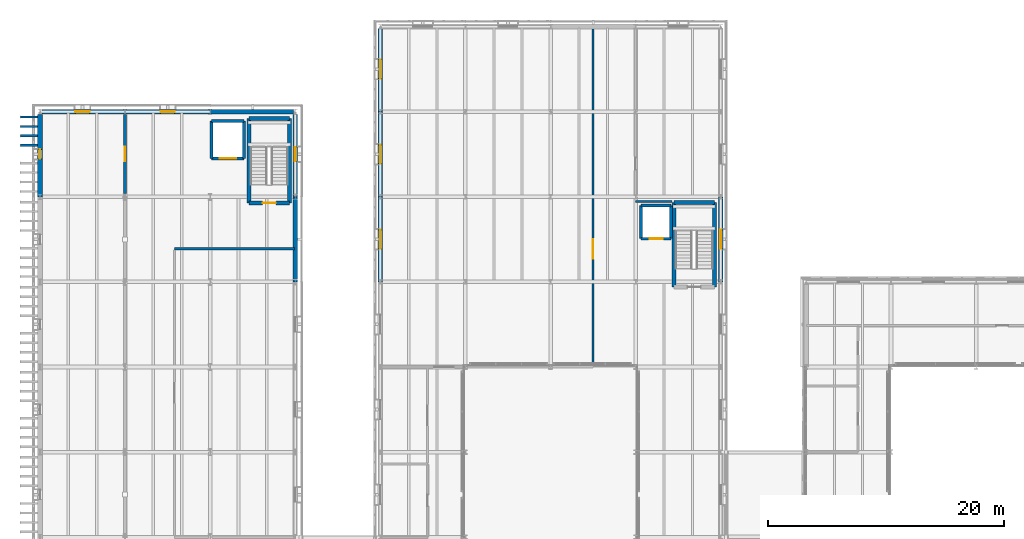
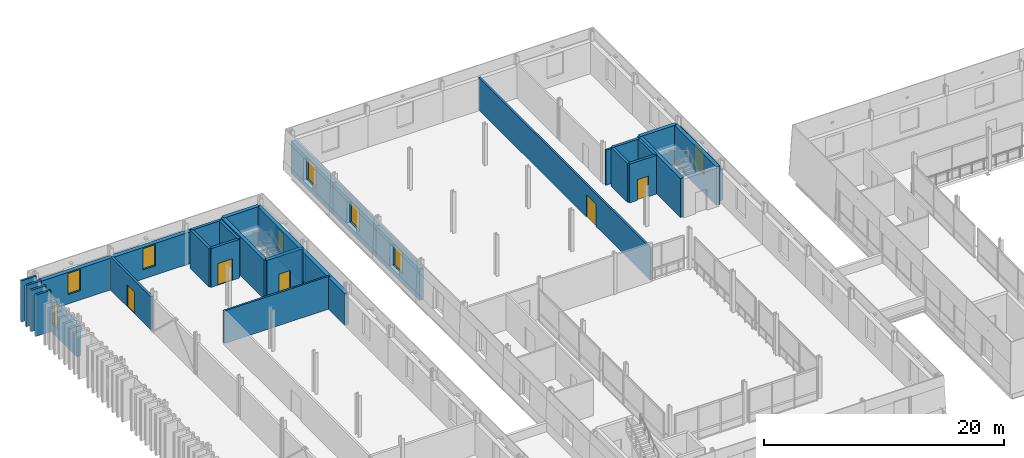
# One storey, part 62 of 91: 33 walls, 8 windows, 5 doors, 13 openings.
"""IFC4 building model written with IfcOpenShell, lengths in metres."""

from ifc_helpers import new_model, si_unit, direction, frame, frame_2d, origin, place, context, subcontext, project, spatial, rectangle, extrude, material, layer, layer_set, type_object, element, fill, save


model = new_model("IFC4")

# Units and contexts
model_context = context("Model", 3, precision=1e-05, world=origin(), true_north=direction((0.0, 1.0)))
body_context = subcontext(model_context, "Body", "Model", "MODEL_VIEW")
ifc_project = project(units=[si_unit("LENGTHUNIT", "METRE"), si_unit("AREAUNIT", "SQUARE_METRE"), si_unit("VOLUMEUNIT", "CUBIC_METRE"), si_unit("PLANEANGLEUNIT", "RADIAN"), si_unit("MASSUNIT", "GRAM", prefix="KILO")], contexts=[model_context])

# Site, building, storey
site_placement = place(None, origin())
site = spatial("IfcSite", under=ifc_project, at=site_placement, CompositionType="ELEMENT")
building_placement = place(site_placement, origin())
building = spatial("IfcBuilding", under=site, at=building_placement, Name="Narikvali Park Central Library", CompositionType="ELEMENT")
storey_placement = place(building_placement, frame((0.0, 0.0, 14.39990234375)))
storey = spatial("IfcBuildingStorey", under=building, at=storey_placement, Name="L03", CompositionType="ELEMENT", Elevation=14.39990234375)

# Wall, opening, door
ifc_material_1 = material(Name="Reinforced Masonry Blockwork C30/37", Category="masonry")
ifc_layer_1 = layer(ifc_material_1, 0.219970703125, Name="Reinforced Masonry Blockwork C30/37")
ifc_layer_set_1 = layer_set([ifc_layer_1], Name="Reinforced Masonry Blockwork C30/37")
wall_type_1 = type_object("IfcWallType", Name="Archive Fire-Resisting Partition 220", PredefinedType="SOLIDWALL", material=ifc_layer_set_1)
wall_1_placement = place(storey_placement, frame((7.199951171875, 101.0791015625, 0.0), z_axis=(0.0, 0.0, 1.0), x_axis=(0.0, 1.0, 0.0)))
wall_1 = element("IfcWall", 1, at=wall_1_placement, inside=storey, type_object=wall_type_1, Name="Compact Mobile Shelving Stacks L03 Partition E", PredefinedType="SOLIDWALL", context=body_context, shape_type="SweptSolid", body=[
    extrude(rectangle(XDim=6.69189453125, YDim=0.219970703125, at=frame_2d((3.345947265625, 0.0))), origin(), (0.0, 0.0, 1.0), 3.385009765625),
])
opening_1_placement = place(wall_1_placement, frame((2.74609375, 0.0, 0.0)))
opening_1 = element("IfcOpeningElement", 2, at=opening_1_placement, cuts=wall_1, Name="Opening ID-0130", PredefinedType="OPENING", context=body_context, shape_type="SweptSolid", body=[
    extrude(rectangle(XDim=1.199951171875, YDim=2.199951171875, at=frame_2d((0.60009765625, 1.10009765625))), frame((0.0, 0.1220703125, 0.0), z_axis=(0.0, -1.0, 0.0), x_axis=(1.0, 0.0, 0.0)), (0.0, 0.0, 1.0), 0.243896484375),
])
ifc_material_2 = material(Name="Insulated Steel S355 Vault Leaf", Category="steel")
door_type_1 = type_object("IfcDoorType", Name="Archive Vault Heavy Fire Door 1200x2200", OperationType="SINGLE_SWING_LEFT", PredefinedType="DOOR", material=ifc_material_2)
door_1_placement = place(opening_1_placement, origin())
door_1 = element("IfcDoor", 3, at=door_1_placement, inside=storey, type_object=door_type_1, Name="Compact Mobile Shelving Stacks L03 Door ID-0130", OperationType="SINGLE_SWING_RIGHT", OverallHeight=2.199951171875, OverallWidth=1.199951171875, PredefinedType="DOOR", context=body_context, shape_type="SweptSolid", body=[
    extrude(rectangle(XDim=1.199951171875, YDim=2.199951171875, at=frame_2d((0.60009765625, 1.10009765625))), frame((0.0, 0.02490234375, 0.0), z_axis=(0.0, -1.0, 0.0), x_axis=(1.0, 0.0, 0.0)), (0.0, 0.0, 1.0), 0.050048828125),
])
fill(opening_1, door_1)

# Walls
ifc_material_3 = material(Name="Kiln-Fired Terracotta Red Brick Masonry", Category="masonry")
ifc_layer_2 = layer(ifc_material_3, 0.199951171875, Name="Kiln-Fired Terracotta Red Brick Masonry")
ifc_layer_set_2 = layer_set([ifc_layer_2], Name="Kiln-Fired Terracotta Red Brick Masonry")
wall_type_2 = type_object("IfcWallType", Name="Kiln-Fired Red Brick Vertical Fin Wall 200", PredefinedType="SOLIDWALL", material=ifc_layer_set_2)
for number, where, z_axis, x_axis, name in (
    (4, (-1.659912109375, 105.14990234375, 0.0), (0.0, 0.0, 1.0), (1.0, 0.0, 0.0), "West Stacks Red Brick Vertical Fin Pier 484"),
    (5, (-1.659912109375, 105.949951171875, 0.0), (0.0, 0.0, 1.0), (1.0, 0.0, 0.0), "West Stacks Red Brick Vertical Fin Pier 490"),
    (6, (-1.659912109375, 106.75, 0.0), (0.0, 0.0, 1.0), (1.0, 0.0, 0.0), "West Stacks Red Brick Vertical Fin Pier 496"),
    (7, (-1.659912109375, 107.550048828125, 0.0), (0.0, 0.0, 1.0), (1.0, 0.0, 0.0), "West Stacks Red Brick Vertical Fin Pier 502"),
):
    element("IfcWall", number, at=place(storey_placement, frame(where, z_axis=z_axis, x_axis=x_axis)), inside=storey, type_object=wall_type_2, Name=name, PredefinedType="SOLIDWALL", context=body_context, shape_type="SweptSolid", body=[
        extrude(rectangle(XDim=1.43994140625, YDim=0.199951171875, at=frame_2d((0.719970703125, 0.0))), origin(), (0.0, 0.0, 1.0), 4.2001953125),
    ])
ifc_material_4 = material(Name="Acoustic Gypsum on Steel Studs", Category="steel")
ifc_layer_3 = layer(ifc_material_4, 0.179931640625, Name="Acoustic Gypsum on Steel Studs")
ifc_layer_set_3 = layer_set([ifc_layer_3], Name="Acoustic Gypsum on Steel Studs")
wall_type_3 = type_object("IfcWallType", Name="Reading Room Acoustic Partition 180", PredefinedType="PARTITIONING", material=ifc_layer_set_3)
wall_2_placement = place(storey_placement, frame((11.39990234375, 96.39990234375, 0.0), z_axis=(0.0, 0.0, 1.0), x_axis=(1.0, 0.0, 0.0)))
element("IfcWall", 8, at=wall_2_placement, inside=storey, type_object=wall_type_3, Name="Scholars Research Reading Room L03 Partition N", PredefinedType="PARTITIONING", context=body_context, shape_type="SweptSolid", body=[
    extrude(rectangle(XDim=10.14501953125, YDim=0.179931640625, at=frame_2d((5.072509765625, 0.0))), origin(), (0.0, 0.0, 1.0), 3.3251953125),
])

# Wall, opening, door
wall_3_placement = place(storey_placement, frame((46.800048828125, 86.491943359375, 0.0), z_axis=(0.0, 0.0, 1.0), x_axis=(0.0, 1.0, 0.0)))
wall_3 = element("IfcWall", 9, at=wall_3_placement, inside=storey, type_object=wall_type_3, Name="Sciences and Arts Reading Room L03 Partition E", PredefinedType="PARTITIONING", context=body_context, shape_type="SweptSolid", body=[
    extrude(rectangle(XDim=28.653076171875, YDim=0.179931640625, at=frame_2d((14.32666015625, 0.0))), origin(), (0.0, 0.0, 1.0), 3.295166015625),
])
opening_2_placement = place(wall_3_placement, frame((9.049072265625, 0.0, 0.0)))
opening_2 = element("IfcOpeningElement", 10, at=opening_2_placement, cuts=wall_3, Name="Opening ID-0100", PredefinedType="OPENING", context=body_context, shape_type="SweptSolid", body=[
    extrude(rectangle(XDim=1.64990234375, YDim=2.25, at=frame_2d((0.824951171875, 1.125))), frame((0.0, 0.10205078125, 0.0), z_axis=(0.0, -1.0, 0.0), x_axis=(1.0, 0.0, 0.0)), (0.0, 0.0, 1.0), 0.203857421875),
])
ifc_material_5 = material(Name="Caucasian Oak and Tempered Glass", Category="glass")
door_type_2 = type_object("IfcDoorType", Name="Open Stacks Double Glazed Door 1650x2250", OperationType="DOUBLE_DOOR_SINGLE_SWING", PredefinedType="DOOR", material=ifc_material_5)
door_2_placement = place(opening_2_placement, origin())
door_2 = element("IfcDoor", 11, at=door_2_placement, inside=storey, type_object=door_type_2, Name="Sciences and Arts Reading Room L03 Door ID-0100", OperationType="DOUBLE_DOOR_SINGLE_SWING", OverallHeight=2.25, OverallWidth=1.64990234375, PredefinedType="DOOR", context=body_context, shape_type="SweptSolid", body=[
    extrude(rectangle(XDim=1.64990234375, YDim=2.25, at=frame_2d((0.824951171875, 1.125))), frame((0.0, 0.02490234375, 0.0), z_axis=(0.0, -1.0, 0.0), x_axis=(1.0, 0.0, 0.0)), (0.0, 0.0, 1.0), 0.050048828125),
])
fill(opening_2, door_2)

# Walls
ifc_material_6 = material(Name="Concrete C40/50", Category="concrete")
ifc_layer_4 = layer(ifc_material_6, 0.35009765625, Name="Concrete C40/50")
ifc_layer_set_4 = layer_set([ifc_layer_4], Name="Concrete C40/50")
wall_type_4 = type_object("IfcWallType", Name="Reinforced Concrete Core Shear Wall 350", PredefinedType="SHEAR", material=ifc_layer_set_4)
wall_4_placement = place(storey_placement, frame((57.070068359375, 93.179931640625, 0.0), z_axis=(0.0, 0.0, 1.0), x_axis=(0.0, 1.0, 0.0)))
element("IfcWall", 12, at=wall_4_placement, inside=storey, type_object=wall_type_4, Name="C4B L03 Stair Core Shear Wall E", PredefinedType="SHEAR", context=body_context, shape_type="SweptSolid", body=[
    extrude(rectangle(XDim=7.14013671875, YDim=0.35009765625, at=frame_2d((3.570068359375, 0.0))), origin(), (0.0, 0.0, 1.0), 3.940185546875),
])
wall_5_placement = place(storey_placement, frame((57.070068359375, 100.320068359375, 0.0), z_axis=(0.0, 0.0, 1.0), x_axis=(-1.0, 0.0, 0.0)))
element("IfcWall", 13, at=wall_5_placement, inside=storey, type_object=wall_type_4, Name="C4B L03 Stair Core Shear Wall N", PredefinedType="SHEAR", context=body_context, shape_type="SweptSolid", body=[
    extrude(rectangle(XDim=3.440185546875, YDim=0.35009765625, at=frame_2d((1.72021484375, 0.0))), origin(), (0.0, 0.0, 1.0), 3.940185546875),
])
wall_6_placement = place(storey_placement, frame((53.6298828125, 100.320068359375, 0.0), z_axis=(0.0, 0.0, 1.0), x_axis=(0.0, -1.0, 0.0)))
element("IfcWall", 14, at=wall_6_placement, inside=storey, type_object=wall_type_4, Name="C4B L03 Stair Core Shear Wall W", PredefinedType="SHEAR", context=body_context, shape_type="SweptSolid", body=[
    extrude(rectangle(XDim=7.14013671875, YDim=0.35009765625, at=frame_2d((3.570068359375, 0.0))), origin(), (0.0, 0.0, 1.0), 3.940185546875),
])

# Wall, opening, door
wall_7_placement = place(storey_placement, frame((17.679931640625, 100.280029296875, 0.0), z_axis=(0.0, 0.0, 1.0), x_axis=(1.0, 0.0, 0.0)))
wall_7 = element("IfcWall", 15, at=wall_7_placement, inside=storey, type_object=wall_type_4, Name="C5B L03 Stair Core Shear Wall S", PredefinedType="SHEAR", context=body_context, shape_type="SweptSolid", body=[
    extrude(rectangle(XDim=3.440185546875, YDim=0.35009765625, at=frame_2d((1.72021484375, 0.0))), origin(), (0.0, 0.0, 1.0), 3.940185546875),
])
opening_3_placement = place(wall_7_placement, frame((1.169921875, 0.0, 0.0)))
opening_3 = element("IfcOpeningElement", 16, at=opening_3_placement, cuts=wall_7, Name="Opening SD-054", PredefinedType="OPENING", context=body_context, shape_type="SweptSolid", body=[
    extrude(rectangle(XDim=1.10009765625, YDim=2.14990234375, at=frame_2d((0.550048828125, 1.074951171875))), frame((0.0, 0.18701171875, 0.0), z_axis=(0.0, -1.0, 0.0), x_axis=(1.0, 0.0, 0.0)), (0.0, 0.0, 1.0), 0.3740234375),
])
ifc_material_7 = material(Name="Powder-Coated Steel S275 Fire Leaf", Category="steel")
door_type_3 = type_object("IfcDoorType", Name="Stair Core Smoke-Control Fire Door 1100x2150", OperationType="SINGLE_SWING_LEFT", PredefinedType="DOOR", material=ifc_material_7)
door_3_placement = place(opening_3_placement, frame((1.10009765625, 0.0, 0.0), z_axis=(0.0, 0.0, 1.0), x_axis=(-1.0, 0.0, 0.0)))
door_3 = element("IfcDoor", 17, at=door_3_placement, inside=storey, type_object=door_type_3, Name="ST-10 L03 Stair Exit Door SD-054", OperationType="SINGLE_SWING_RIGHT", OverallHeight=2.14990234375, OverallWidth=1.10009765625, PredefinedType="DOOR", context=body_context, shape_type="SweptSolid", body=[
    extrude(rectangle(XDim=1.10009765625, YDim=2.14990234375, at=frame_2d((0.550048828125, 1.074951171875))), frame((0.0, 0.02490234375, 0.0), z_axis=(0.0, -1.0, 0.0), x_axis=(1.0, 0.0, 0.0)), (0.0, 0.0, 1.0), 0.050048828125),
])
fill(opening_3, door_3)

# Walls
wall_8_placement = place(storey_placement, frame((21.1201171875, 100.280029296875, 0.0), z_axis=(0.0, 0.0, 1.0), x_axis=(0.0, 1.0, 0.0)))
element("IfcWall", 18, at=wall_8_placement, inside=storey, type_object=wall_type_4, Name="C5B L03 Stair Core Shear Wall E", PredefinedType="SHEAR", context=body_context, shape_type="SweptSolid", body=[
    extrude(rectangle(XDim=7.139892578125, YDim=0.35009765625, at=frame_2d((3.56982421875, 0.0))), origin(), (0.0, 0.0, 1.0), 3.940185546875),
])
wall_9_placement = place(storey_placement, frame((21.1201171875, 107.419921875, 0.0), z_axis=(0.0, 0.0, 1.0), x_axis=(-1.0, 0.0, 0.0)))
element("IfcWall", 19, at=wall_9_placement, inside=storey, type_object=wall_type_4, Name="C5B L03 Stair Core Shear Wall N", PredefinedType="SHEAR", context=body_context, shape_type="SweptSolid", body=[
    extrude(rectangle(XDim=3.440185546875, YDim=0.35009765625, at=frame_2d((1.72021484375, 0.0))), origin(), (0.0, 0.0, 1.0), 3.940185546875),
])
wall_10_placement = place(storey_placement, frame((17.679931640625, 107.419921875, 0.0), z_axis=(0.0, 0.0, 1.0), x_axis=(0.0, -1.0, 0.0)))
element("IfcWall", 20, at=wall_10_placement, inside=storey, type_object=wall_type_4, Name="C5B L03 Stair Core Shear Wall W", PredefinedType="SHEAR", context=body_context, shape_type="SweptSolid", body=[
    extrude(rectangle(XDim=7.139892578125, YDim=0.35009765625, at=frame_2d((3.56982421875, 0.0))), origin(), (0.0, 0.0, 1.0), 3.940185546875),
])

# Wall, opening, door
ifc_layer_5 = layer(ifc_material_6, 0.25, Name="Concrete C40/50")
ifc_layer_set_5 = layer_set([ifc_layer_5], Name="Concrete C40/50")
wall_type_5 = type_object("IfcWallType", Name="Reinforced Concrete Lift Shaft Wall 250", PredefinedType="SHEAR", material=ifc_layer_set_5)
wall_11_placement = place(storey_placement, frame((50.85009765625, 97.25, 0.0), z_axis=(0.0, 0.0, 1.0), x_axis=(1.0, 0.0, 0.0)))
wall_11 = element("IfcWall", 21, at=wall_11_placement, inside=storey, type_object=wall_type_5, Name="L-06 L03 Lift Shaft Wall S", PredefinedType="SHEAR", context=body_context, shape_type="SweptSolid", body=[
    extrude(rectangle(XDim=2.5498046875, YDim=0.25, at=frame_2d((1.27490234375, 0.0))), origin(), (0.0, 0.0, 1.0), 3.940185546875),
])
opening_4_placement = place(wall_11_placement, frame((0.72509765625, 0.0, 0.0)))
opening_4 = element("IfcOpeningElement", 22, at=opening_4_placement, cuts=wall_11, Name="Opening LD-032", PredefinedType="OPENING", context=body_context, shape_type="SweptSolid", body=[
    extrude(rectangle(XDim=1.10009765625, YDim=2.10009765625, at=frame_2d((0.550048828125, 1.050048828125))), frame((0.0, 0.136962890625, 0.0), z_axis=(0.0, -1.0, 0.0), x_axis=(1.0, 0.0, 0.0)), (0.0, 0.0, 1.0), 0.27392578125),
])
ifc_material_8 = material(Name="Brushed Stainless Steel S355", Category="steel")
door_type_4 = type_object("IfcDoorType", Name="Passenger Lift Sliding Landing Door 1100x2100", OperationType="SLIDING_TO_LEFT", PredefinedType="DOOR", material=ifc_material_8)
door_4_placement = place(opening_4_placement, origin())
door_4 = element("IfcDoor", 23, at=door_4_placement, inside=storey, type_object=door_type_4, Name="L-06 L03 Lift Landing Sliding Door LD-032", OperationType="SLIDING_TO_LEFT", OverallHeight=2.10009765625, OverallWidth=1.10009765625, PredefinedType="DOOR", context=body_context, shape_type="SweptSolid", body=[
    extrude(rectangle(XDim=1.10009765625, YDim=2.10009765625, at=frame_2d((0.550048828125, 1.050048828125))), frame((0.0, 0.02490234375, 0.0), z_axis=(0.0, -1.0, 0.0), x_axis=(1.0, 0.0, 0.0)), (0.0, 0.0, 1.0), 0.050048828125),
])
fill(opening_4, door_4)

# Walls
wall_12_placement = place(storey_placement, frame((53.39990234375, 97.25, 0.0), z_axis=(0.0, 0.0, 1.0), x_axis=(0.0, 1.0, 0.0)))
element("IfcWall", 24, at=wall_12_placement, inside=storey, type_object=wall_type_5, Name="L-06 L03 Lift Shaft Wall E", PredefinedType="SHEAR", context=body_context, shape_type="SweptSolid", body=[
    extrude(rectangle(XDim=2.800048828125, YDim=0.25, at=frame_2d((1.39990234375, 0.0))), origin(), (0.0, 0.0, 1.0), 3.940185546875),
])
wall_13_placement = place(storey_placement, frame((53.39990234375, 100.050048828125, 0.0), z_axis=(0.0, 0.0, 1.0), x_axis=(-1.0, 0.0, 0.0)))
element("IfcWall", 25, at=wall_13_placement, inside=storey, type_object=wall_type_5, Name="L-06 L03 Lift Shaft Wall N", PredefinedType="SHEAR", context=body_context, shape_type="SweptSolid", body=[
    extrude(rectangle(XDim=2.5498046875, YDim=0.25, at=frame_2d((1.27490234375, 0.0))), origin(), (0.0, 0.0, 1.0), 3.940185546875),
])
wall_14_placement = place(storey_placement, frame((50.85009765625, 100.050048828125, 0.0), z_axis=(0.0, 0.0, 1.0), x_axis=(0.0, -1.0, 0.0)))
element("IfcWall", 26, at=wall_14_placement, inside=storey, type_object=wall_type_5, Name="L-06 L03 Lift Shaft Wall W", PredefinedType="SHEAR", context=body_context, shape_type="SweptSolid", body=[
    extrude(rectangle(XDim=2.800048828125, YDim=0.25, at=frame_2d((1.39990234375, 0.0))), origin(), (0.0, 0.0, 1.0), 3.940185546875),
])

# Wall, opening, door
wall_15_placement = place(storey_placement, frame((14.52001953125, 104.050048828125, 0.0), z_axis=(0.0, 0.0, 1.0), x_axis=(1.0, 0.0, 0.0)))
wall_15 = element("IfcWall", 27, at=wall_15_placement, inside=storey, type_object=wall_type_5, Name="GL-02 L03 Lift Shaft Wall S", PredefinedType="SHEAR", context=body_context, shape_type="SweptSolid", body=[
    extrude(rectangle(XDim=2.75, YDim=0.25, at=frame_2d((1.375, 0.0))), origin(), (0.0, 0.0, 1.0), 3.940185546875),
])
opening_5_placement = place(wall_15_placement, frame((0.675048828125, 0.0, 0.0)))
opening_5 = element("IfcOpeningElement", 28, at=opening_5_placement, cuts=wall_15, Name="Opening LD-045", PredefinedType="OPENING", context=body_context, shape_type="SweptSolid", body=[
    extrude(rectangle(XDim=1.39990234375, YDim=2.199951171875, at=frame_2d((0.699951171875, 1.10009765625))), frame((0.0, 0.136962890625, 0.0), z_axis=(0.0, -1.0, 0.0), x_axis=(1.0, 0.0, 0.0)), (0.0, 0.0, 1.0), 0.27392578125),
])
door_type_5 = type_object("IfcDoorType", Name="Book Goods Lift Sliding Landing Door 1400x2200", OperationType="DOUBLE_DOOR_SLIDING", PredefinedType="DOOR", material=ifc_material_8)
door_5_placement = place(opening_5_placement, origin())
door_5 = element("IfcDoor", 29, at=door_5_placement, inside=storey, type_object=door_type_5, Name="GL-02 L03 Lift Landing Sliding Door LD-045", OperationType="DOUBLE_DOOR_SLIDING", OverallHeight=2.199951171875, OverallWidth=1.39990234375, PredefinedType="DOOR", context=body_context, shape_type="SweptSolid", body=[
    extrude(rectangle(XDim=1.39990234375, YDim=2.199951171875, at=frame_2d((0.699951171875, 1.10009765625))), frame((0.0, 0.02490234375, 0.0), z_axis=(0.0, -1.0, 0.0), x_axis=(1.0, 0.0, 0.0)), (0.0, 0.0, 1.0), 0.050048828125),
])
fill(opening_5, door_5)

# Walls
wall_16_placement = place(storey_placement, frame((17.27001953125, 104.050048828125, 0.0), z_axis=(0.0, 0.0, 1.0), x_axis=(0.0, 1.0, 0.0)))
element("IfcWall", 30, at=wall_16_placement, inside=storey, type_object=wall_type_5, Name="GL-02 L03 Lift Shaft Wall E", PredefinedType="SHEAR", context=body_context, shape_type="SweptSolid", body=[
    extrude(rectangle(XDim=3.14990234375, YDim=0.25, at=frame_2d((1.574951171875, 0.0))), origin(), (0.0, 0.0, 1.0), 3.940185546875),
])
wall_17_placement = place(storey_placement, frame((17.27001953125, 107.199951171875, 0.0), z_axis=(0.0, 0.0, 1.0), x_axis=(-1.0, 0.0, 0.0)))
element("IfcWall", 31, at=wall_17_placement, inside=storey, type_object=wall_type_5, Name="GL-02 L03 Lift Shaft Wall N", PredefinedType="SHEAR", context=body_context, shape_type="SweptSolid", body=[
    extrude(rectangle(XDim=2.75, YDim=0.25, at=frame_2d((1.375, 0.0))), origin(), (0.0, 0.0, 1.0), 3.940185546875),
])
wall_18_placement = place(storey_placement, frame((14.52001953125, 107.199951171875, 0.0), z_axis=(0.0, 0.0, 1.0), x_axis=(0.0, -1.0, 0.0)))
element("IfcWall", 32, at=wall_18_placement, inside=storey, type_object=wall_type_5, Name="GL-02 L03 Lift Shaft Wall W", PredefinedType="SHEAR", context=body_context, shape_type="SweptSolid", body=[
    extrude(rectangle(XDim=3.14990234375, YDim=0.25, at=frame_2d((1.574951171875, 0.0))), origin(), (0.0, 0.0, 1.0), 3.940185546875),
])
ifc_material_9 = material(Name="Gypsum Board on Galvanised Steel Studs", Category="steel")
ifc_layer_6 = layer(ifc_material_9, 0.159912109375, Name="Gypsum Board on Galvanised Steel Studs")
ifc_layer_set_6 = layer_set([ifc_layer_6], Name="Gypsum Board on Galvanised Steel Studs")
wall_type_6 = type_object("IfcWallType", Name="Study Room Partition Wall 160", PredefinedType="PARTITIONING", material=ifc_layer_set_6)
wall_19_placement = place(storey_placement, frame((50.39990234375, 100.39990234375, 0.0), z_axis=(0.0, 0.0, 1.0), x_axis=(1.0, 0.0, 0.0)))
element("IfcWall", 33, at=wall_19_placement, inside=storey, type_object=wall_type_6, Name="North Boulevard Scholar Carrels L03 Partition S", PredefinedType="PARTITIONING", context=body_context, shape_type="SweptSolid", body=[
    extrude(rectangle(XDim=3.052978515625, YDim=0.159912109375, at=frame_2d((1.5263671875, 0.0))), origin(), (0.0, 0.0, 1.0), 3.5751953125),
])

# Wall, opening, window
ifc_material_10 = material(Name="White Honed Limestone over Concrete C35/45", Category="masonry")
ifc_layer_7 = layer(ifc_material_10, 0.39990234375, Name="White Honed Limestone over Concrete C35/45")
ifc_layer_set_7 = layer_set([ifc_layer_7], Name="White Honed Limestone over Concrete C35/45")
wall_type_7 = type_object("IfcWallType", Name="White Limestone Battered Tier3 Wall 400", PredefinedType="SOLIDWALL", material=ifc_layer_set_7)
wall_20_placement = place(storey_placement, frame((57.60009765625, 93.60009765625, 0.0), z_axis=(0.0, 0.0, 1.0), x_axis=(0.0, 1.0, 0.0)))
wall_20 = element("IfcWall", 34, at=wall_20_placement, inside=storey, type_object=wall_type_7, Name="V4 L03 E Exterior Limestone Wall B06", PredefinedType="SOLIDWALL", context=body_context, shape_type="SweptSolid", body=[
    extrude(rectangle(XDim=7.199951171875, YDim=0.39990234375, at=frame_2d((3.60009765625, 0.0))), origin(), (0.0, 0.0, 1.0), 3.22021484375),
])
opening_6_placement = place(wall_20_placement, frame((2.800048828125, 0.0, 0.949951171875)))
opening_6 = element("IfcOpeningElement", 35, at=opening_6_placement, cuts=wall_20, Name="Opening WIN-0192", PredefinedType="OPENING", context=body_context, shape_type="SweptSolid", body=[
    extrude(rectangle(XDim=1.60009765625, YDim=2.199951171875, at=frame_2d((0.800048828125, 1.10009765625))), frame((0.0, 0.2119140625, 0.0), z_axis=(0.0, -1.0, 0.0), x_axis=(1.0, 0.0, 0.0)), (0.0, 0.0, 1.0), 0.423828125),
])
ifc_material_11 = material(Name="Anodised Bronze Aluminium and Low-E Triple Glazing", Category="aluminium")
window_type_1 = type_object("IfcWindowType", Name="Atrium Reading Wing Classical Window 1600x2200", PartitioningType="DOUBLE_PANEL_VERTICAL", PredefinedType="WINDOW", material=ifc_material_11)
window_1_placement = place(opening_6_placement, origin())
window_1 = element("IfcWindow", 36, at=window_1_placement, inside=storey, type_object=window_type_1, Name="V4 L03 E Deep-Reveal Window WIN-0192", OverallHeight=2.199951171875, OverallWidth=1.60009765625, PartitioningType="SINGLE_PANEL", PredefinedType="WINDOW", context=body_context, shape_type="SweptSolid", body=[
    extrude(rectangle(XDim=1.60009765625, YDim=2.199951171875, at=frame_2d((0.800048828125, 1.10009765625))), frame((0.0, 0.030029296875, 0.0), z_axis=(0.0, -1.0, 0.0), x_axis=(1.0, 0.0, 0.0)), (0.0, 0.0, 1.0), 0.06005859375),
])
fill(opening_6, window_1)

wall_21_placement = place(storey_placement, frame((28.800048828125, 115.02587890625, 0.0), z_axis=(0.0, 0.0, 1.0), x_axis=(0.0, -1.0, 0.0)))
wall_21 = element("IfcWall", 37, at=wall_21_placement, inside=storey, type_object=wall_type_7, Name="V4 L03 W Exterior Limestone Wall B01", PredefinedType="SOLIDWALL", context=body_context, shape_type="SweptSolid", body=[
    extrude(rectangle(XDim=7.02587890625, YDim=0.39990234375, at=frame_2d((3.512939453125, 0.0))), origin(), (0.0, 0.0, 1.0), 3.22021484375),
])
opening_7_placement = place(wall_21_placement, frame((2.6259765625, 0.0, 0.949951171875)))
opening_7 = element("IfcOpeningElement", 38, at=opening_7_placement, cuts=wall_21, Name="Opening WIN-0198", PredefinedType="OPENING", context=body_context, shape_type="SweptSolid", body=[
    extrude(rectangle(XDim=1.60009765625, YDim=2.199951171875, at=frame_2d((0.800048828125, 1.10009765625))), frame((0.0, 0.2119140625, 0.0), z_axis=(0.0, -1.0, 0.0), x_axis=(1.0, 0.0, 0.0)), (0.0, 0.0, 1.0), 0.423828125),
])
window_2_placement = place(opening_7_placement, origin())
window_2 = element("IfcWindow", 39, at=window_2_placement, inside=storey, type_object=window_type_1, Name="V4 L03 W Deep-Reveal Window WIN-0198", OverallHeight=2.199951171875, OverallWidth=1.60009765625, PartitioningType="SINGLE_PANEL", PredefinedType="WINDOW", context=body_context, shape_type="SweptSolid", body=[
    extrude(rectangle(XDim=1.60009765625, YDim=2.199951171875, at=frame_2d((0.800048828125, 1.10009765625))), frame((0.0, 0.030029296875, 0.0), z_axis=(0.0, -1.0, 0.0), x_axis=(1.0, 0.0, 0.0)), (0.0, 0.0, 1.0), 0.06005859375),
])
fill(opening_7, window_2)

wall_22_placement = place(storey_placement, frame((28.800048828125, 108.0, 0.0), z_axis=(0.0, 0.0, 1.0), x_axis=(0.0, -1.0, 0.0)))
wall_22 = element("IfcWall", 40, at=wall_22_placement, inside=storey, type_object=wall_type_7, Name="V4 L03 W Exterior Limestone Wall B02", PredefinedType="SOLIDWALL", context=body_context, shape_type="SweptSolid", body=[
    extrude(rectangle(XDim=7.199951171875, YDim=0.39990234375, at=frame_2d((3.60009765625, 0.0))), origin(), (0.0, 0.0, 1.0), 3.22021484375),
])
opening_8_placement = place(wall_22_placement, frame((2.800048828125, 0.0, 0.949951171875)))
opening_8 = element("IfcOpeningElement", 41, at=opening_8_placement, cuts=wall_22, Name="Opening WIN-0199", PredefinedType="OPENING", context=body_context, shape_type="SweptSolid", body=[
    extrude(rectangle(XDim=1.60009765625, YDim=2.199951171875, at=frame_2d((0.800048828125, 1.10009765625))), frame((0.0, 0.2119140625, 0.0), z_axis=(0.0, -1.0, 0.0), x_axis=(1.0, 0.0, 0.0)), (0.0, 0.0, 1.0), 0.423828125),
])
window_3_placement = place(opening_8_placement, origin())
window_3 = element("IfcWindow", 42, at=window_3_placement, inside=storey, type_object=window_type_1, Name="V4 L03 W Deep-Reveal Window WIN-0199", OverallHeight=2.199951171875, OverallWidth=1.60009765625, PartitioningType="SINGLE_PANEL", PredefinedType="WINDOW", context=body_context, shape_type="SweptSolid", body=[
    extrude(rectangle(XDim=1.60009765625, YDim=2.199951171875, at=frame_2d((0.800048828125, 1.10009765625))), frame((0.0, 0.030029296875, 0.0), z_axis=(0.0, -1.0, 0.0), x_axis=(1.0, 0.0, 0.0)), (0.0, 0.0, 1.0), 0.06005859375),
])
fill(opening_8, window_3)

wall_23_placement = place(storey_placement, frame((28.800048828125, 100.800048828125, 0.0), z_axis=(0.0, 0.0, 1.0), x_axis=(0.0, -1.0, 0.0)))
wall_23 = element("IfcWall", 43, at=wall_23_placement, inside=storey, type_object=wall_type_7, Name="V4 L03 W Exterior Limestone Wall B03", PredefinedType="SOLIDWALL", context=body_context, shape_type="SweptSolid", body=[
    extrude(rectangle(XDim=7.199951171875, YDim=0.39990234375, at=frame_2d((3.60009765625, 0.0))), origin(), (0.0, 0.0, 1.0), 3.22021484375),
])
opening_9_placement = place(wall_23_placement, frame((2.800048828125, 0.0, 0.949951171875)))
opening_9 = element("IfcOpeningElement", 44, at=opening_9_placement, cuts=wall_23, Name="Opening WIN-0200", PredefinedType="OPENING", context=body_context, shape_type="SweptSolid", body=[
    extrude(rectangle(XDim=1.60009765625, YDim=2.199951171875, at=frame_2d((0.800048828125, 1.10009765625))), frame((0.0, 0.2119140625, 0.0), z_axis=(0.0, -1.0, 0.0), x_axis=(1.0, 0.0, 0.0)), (0.0, 0.0, 1.0), 0.423828125),
])
window_4_placement = place(opening_9_placement, origin())
window_4 = element("IfcWindow", 45, at=window_4_placement, inside=storey, type_object=window_type_1, Name="V4 L03 W Deep-Reveal Window WIN-0200", OverallHeight=2.199951171875, OverallWidth=1.60009765625, PartitioningType="SINGLE_PANEL", PredefinedType="WINDOW", context=body_context, shape_type="SweptSolid", body=[
    extrude(rectangle(XDim=1.60009765625, YDim=2.199951171875, at=frame_2d((0.800048828125, 1.10009765625))), frame((0.0, 0.030029296875, 0.0), z_axis=(0.0, -1.0, 0.0), x_axis=(1.0, 0.0, 0.0)), (0.0, 0.0, 1.0), 0.06005859375),
])
fill(opening_9, window_4)

# Wall
wall_24_placement = place(storey_placement, frame((21.60009765625, 93.60009765625, 0.0), z_axis=(0.0, 0.0, 1.0), x_axis=(0.0, 1.0, 0.0)))
element("IfcWall", 46, at=wall_24_placement, inside=storey, type_object=wall_type_7, Name="V5 L03 E Exterior Limestone Wall B10", PredefinedType="SOLIDWALL", context=body_context, shape_type="SweptSolid", body=[
    extrude(rectangle(XDim=7.199951171875, YDim=0.39990234375, at=frame_2d((3.60009765625, 0.0))), origin(), (0.0, 0.0, 1.0), 3.22021484375),
])

# Wall, opening, window
wall_25_placement = place(storey_placement, frame((21.60009765625, 100.800048828125, 0.0), z_axis=(0.0, 0.0, 1.0), x_axis=(0.0, 1.0, 0.0)))
wall_25 = element("IfcWall", 47, at=wall_25_placement, inside=storey, type_object=wall_type_7, Name="V5 L03 E Exterior Limestone Wall B11", PredefinedType="SOLIDWALL", context=body_context, shape_type="SweptSolid", body=[
    extrude(rectangle(XDim=6.970947265625, YDim=0.39990234375, at=frame_2d((3.4853515625, 0.0))), origin(), (0.0, 0.0, 1.0), 3.22021484375),
])
opening_10_placement = place(wall_25_placement, frame((3.0, 0.0, 0.949951171875)))
opening_10 = element("IfcOpeningElement", 48, at=opening_10_placement, cuts=wall_25, Name="Opening WIN-0294", PredefinedType="OPENING", context=body_context, shape_type="SweptSolid", body=[
    extrude(rectangle(XDim=1.199951171875, YDim=2.14990234375, at=frame_2d((0.60009765625, 1.074951171875))), frame((0.0, 0.2119140625, 0.0), z_axis=(0.0, -1.0, 0.0), x_axis=(1.0, 0.0, 0.0)), (0.0, 0.0, 1.0), 0.423828125),
])
window_type_2 = type_object("IfcWindowType", Name="Stacks Archive Deep-Reveal Punched Window 1200x2150", PartitioningType="SINGLE_PANEL", PredefinedType="WINDOW", material=ifc_material_11)
window_5_placement = place(opening_10_placement, origin())
window_5 = element("IfcWindow", 49, at=window_5_placement, inside=storey, type_object=window_type_2, Name="V5 L03 E Deep-Reveal Window WIN-0294", OverallHeight=2.14990234375, OverallWidth=1.199951171875, PartitioningType="SINGLE_PANEL", PredefinedType="WINDOW", context=body_context, shape_type="SweptSolid", body=[
    extrude(rectangle(XDim=1.199951171875, YDim=2.14990234375, at=frame_2d((0.60009765625, 1.074951171875))), frame((0.0, 0.030029296875, 0.0), z_axis=(0.0, -1.0, 0.0), x_axis=(1.0, 0.0, 0.0)), (0.0, 0.0, 1.0), 0.06005859375),
])
fill(opening_10, window_5)

# Wall
wall_26_placement = place(storey_placement, frame((21.446044921875, 108.0, 0.0), z_axis=(0.0, 0.0, 1.0), x_axis=(-1.0, 0.0, 0.0)))
element("IfcWall", 50, at=wall_26_placement, inside=storey, type_object=wall_type_7, Name="V5 L03 N Exterior Limestone Wall B01", PredefinedType="SOLIDWALL", context=body_context, shape_type="SweptSolid", body=[
    extrude(rectangle(XDim=7.046142578125, YDim=0.39990234375, at=frame_2d((3.52294921875, 0.0))), origin(), (0.0, 0.0, 1.0), 3.22021484375),
])

# Wall, opening, window
wall_27_placement = place(storey_placement, frame((14.39990234375, 108.0, 0.0), z_axis=(0.0, 0.0, 1.0), x_axis=(-1.0, 0.0, 0.0)))
wall_27 = element("IfcWall", 51, at=wall_27_placement, inside=storey, type_object=wall_type_7, Name="V5 L03 N Exterior Limestone Wall B02", PredefinedType="SOLIDWALL", context=body_context, shape_type="SweptSolid", body=[
    extrude(rectangle(XDim=7.199951171875, YDim=0.39990234375, at=frame_2d((3.60009765625, 0.0))), origin(), (0.0, 0.0, 1.0), 3.22021484375),
])
opening_11_placement = place(wall_27_placement, frame((3.0, 0.0, 0.949951171875)))
opening_11 = element("IfcOpeningElement", 52, at=opening_11_placement, cuts=wall_27, Name="Opening WIN-0295", PredefinedType="OPENING", context=body_context, shape_type="SweptSolid", body=[
    extrude(rectangle(XDim=1.199951171875, YDim=2.14990234375, at=frame_2d((0.60009765625, 1.074951171875))), frame((0.0, 0.2119140625, 0.0), z_axis=(0.0, -1.0, 0.0), x_axis=(1.0, 0.0, 0.0)), (0.0, 0.0, 1.0), 0.423828125),
])
window_6_placement = place(opening_11_placement, origin())
window_6 = element("IfcWindow", 53, at=window_6_placement, inside=storey, type_object=window_type_2, Name="V5 L03 N Deep-Reveal Window WIN-0295", OverallHeight=2.14990234375, OverallWidth=1.199951171875, PartitioningType="SINGLE_PANEL", PredefinedType="WINDOW", context=body_context, shape_type="SweptSolid", body=[
    extrude(rectangle(XDim=1.199951171875, YDim=2.14990234375, at=frame_2d((0.60009765625, 1.074951171875))), frame((0.0, 0.030029296875, 0.0), z_axis=(0.0, -1.0, 0.0), x_axis=(1.0, 0.0, 0.0)), (0.0, 0.0, 1.0), 0.06005859375),
])
fill(opening_11, window_6)

wall_28_placement = place(storey_placement, frame((7.199951171875, 108.0, 0.0), z_axis=(0.0, 0.0, 1.0), x_axis=(-1.0, 0.0, 0.0)))
wall_28 = element("IfcWall", 54, at=wall_28_placement, inside=storey, type_object=wall_type_7, Name="V5 L03 N Exterior Limestone Wall B03", PredefinedType="SOLIDWALL", context=body_context, shape_type="SweptSolid", body=[
    extrude(rectangle(XDim=7.0458984375, YDim=0.39990234375, at=frame_2d((3.52294921875, 0.0))), origin(), (0.0, 0.0, 1.0), 3.22021484375),
])
opening_12_placement = place(wall_28_placement, frame((3.0, 0.0, 0.949951171875)))
opening_12 = element("IfcOpeningElement", 55, at=opening_12_placement, cuts=wall_28, Name="Opening WIN-0296", PredefinedType="OPENING", context=body_context, shape_type="SweptSolid", body=[
    extrude(rectangle(XDim=1.199951171875, YDim=2.14990234375, at=frame_2d((0.60009765625, 1.074951171875))), frame((0.0, 0.2119140625, 0.0), z_axis=(0.0, -1.0, 0.0), x_axis=(1.0, 0.0, 0.0)), (0.0, 0.0, 1.0), 0.423828125),
])
window_7_placement = place(opening_12_placement, origin())
window_7 = element("IfcWindow", 56, at=window_7_placement, inside=storey, type_object=window_type_2, Name="V5 L03 N Deep-Reveal Window WIN-0296", OverallHeight=2.14990234375, OverallWidth=1.199951171875, PartitioningType="SINGLE_PANEL", PredefinedType="WINDOW", context=body_context, shape_type="SweptSolid", body=[
    extrude(rectangle(XDim=1.199951171875, YDim=2.14990234375, at=frame_2d((0.60009765625, 1.074951171875))), frame((0.0, 0.030029296875, 0.0), z_axis=(0.0, -1.0, 0.0), x_axis=(1.0, 0.0, 0.0)), (0.0, 0.0, 1.0), 0.06005859375),
])
fill(opening_12, window_7)

wall_29_placement = place(storey_placement, frame((0.0, 107.77099609375, 0.0), z_axis=(0.0, 0.0, 1.0), x_axis=(0.0, -1.0, 0.0)))
wall_29 = element("IfcWall", 57, at=wall_29_placement, inside=storey, type_object=wall_type_7, Name="V5 L03 W Exterior Limestone Wall B01", PredefinedType="SOLIDWALL", context=body_context, shape_type="SweptSolid", body=[
    extrude(rectangle(XDim=6.970947265625, YDim=0.39990234375, at=frame_2d((3.4853515625, 0.0))), origin(), (0.0, 0.0, 1.0), 3.06005859375),
])
opening_13_placement = place(wall_29_placement, frame((2.970947265625, 0.0, 0.949951171875)))
opening_13 = element("IfcOpeningElement", 58, at=opening_13_placement, cuts=wall_29, Name="Opening WIN-0297", PredefinedType="OPENING", context=body_context, shape_type="SweptSolid", body=[
    extrude(rectangle(XDim=0.800048828125, YDim=2.14990234375, at=frame_2d((0.39990234375, 1.074951171875))), frame((0.0, 0.2119140625, 0.0), z_axis=(0.0, -1.0, 0.0), x_axis=(1.0, 0.0, 0.0)), (0.0, 0.0, 1.0), 0.423828125),
])
window_type_3 = type_object("IfcWindowType", Name="West Fin-Bay Narrow Carrel Slot Window 800x2150", PartitioningType="SINGLE_PANEL", PredefinedType="WINDOW", material=ifc_material_11)
window_8_placement = place(opening_13_placement, origin())
window_8 = element("IfcWindow", 59, at=window_8_placement, inside=storey, type_object=window_type_3, Name="V5 L03 W Deep-Reveal Window WIN-0297", OverallHeight=2.14990234375, OverallWidth=0.800048828125, PartitioningType="SINGLE_PANEL", PredefinedType="WINDOW", context=body_context, shape_type="SweptSolid", body=[
    extrude(rectangle(XDim=0.800048828125, YDim=2.14990234375, at=frame_2d((0.39990234375, 1.074951171875))), frame((0.0, 0.030029296875, 0.0), z_axis=(0.0, -1.0, 0.0), x_axis=(1.0, 0.0, 0.0)), (0.0, 0.0, 1.0), 0.06005859375),
])
fill(opening_13, window_8)

save(model, "model.ifc")
